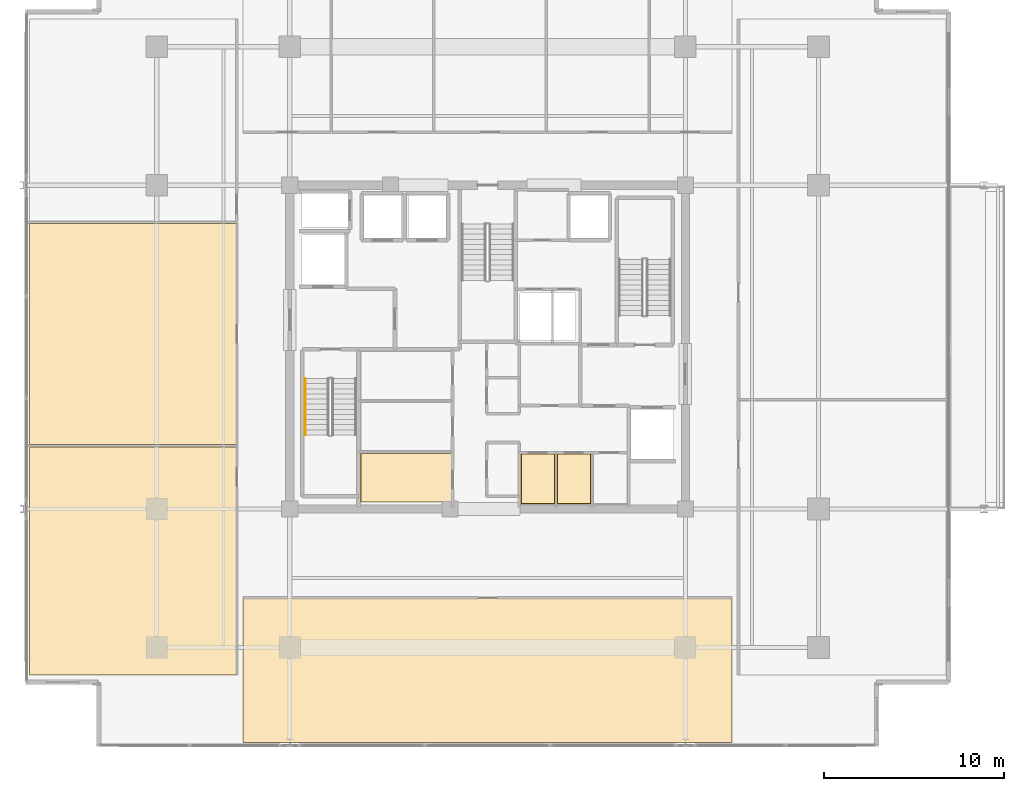
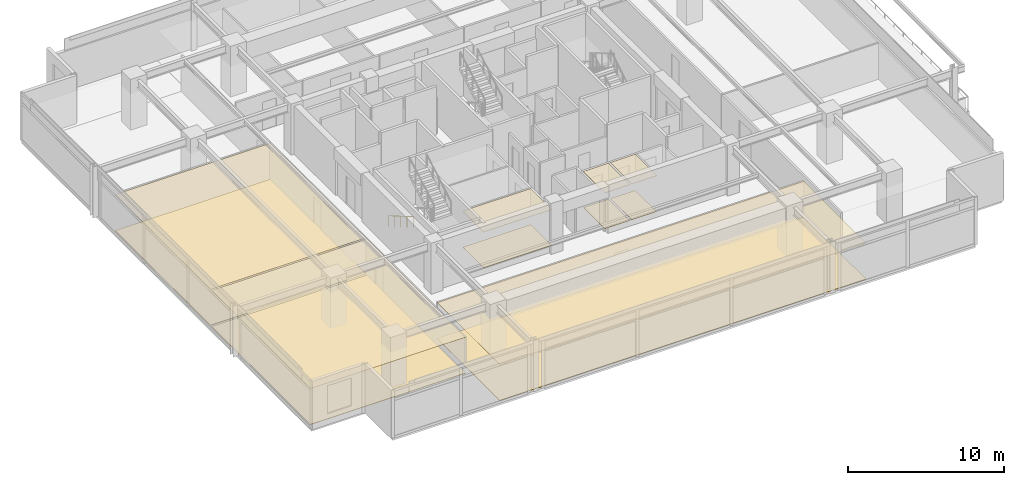
# One storey, part 18 of 21: 12 coverings, 1 railing.
"""IFC4 building model written with IfcOpenShell, lengths in metres."""

import ifcopenshell
import ifcopenshell.guid

model = None  # the IFC model being written
_history = None  # IfcOwnerHistory: only IFC2X3 demands one
_inside = {}  # id of a spatial element -> (the spatial element, [elements in it])
_under = {}  # id of a project, library or spatial element -> (it, [spatial elements below it])
_declared = {}  # id of a project -> (the project, [libraries it declares])
_typed = {}  # id of a type object -> (the type object, [elements of that type])
_made_of = {}  # id of a material, layer set ... -> (it, [elements and type objects made of it])


def new_model(schema):
    """Start an empty IFC model of exactly this schema.

    Asked for "IFC4X3", IfcOpenShell would pick the latest addendum, in which some entities
    have other attributes; the version numbers below select the first issue.
    IFC2X3 requires an IfcOwnerHistory on every rooted entity: one is made here for all.
    """
    global model, _history
    if schema == "IFC4X3":
        model = ifcopenshell.file(schema_version=(4, 3, 0, 0))
    else:
        model = ifcopenshell.file(schema=schema)
    _inside.clear()
    _under.clear()
    _declared.clear()
    _typed.clear()
    _made_of.clear()
    _history = None
    if model.schema == "IFC2X3":
        org = make("IfcOrganization", Name="unknown")
        user = make(
            "IfcPersonAndOrganization",
            ThePerson=make("IfcPerson", FamilyName="unknown"),
            TheOrganization=org,
        )
        app = make(
            "IfcApplication",
            ApplicationDeveloper=org,
            Version="unknown",
            ApplicationFullName="unknown",
            ApplicationIdentifier="unknown",
        )
        _history = make(
            "IfcOwnerHistory",
            OwningUser=user,
            OwningApplication=app,
            ChangeAction="ADDED",
            CreationDate=0,
        )
    return model


def make(cls, **values):
    """One entity of the class cls with the attributes given. An attribute that is None is left unset."""
    return model.create_entity(
        cls, **{name: value for name, value in values.items() if value is not None}
    )


def rooted(cls, **values):
    """An entity with a GlobalId (a new one), such as an element, a storey or a relation."""
    return make(cls, GlobalId=ifcopenshell.guid.new(), OwnerHistory=_history, **values)


def si_unit(unit_type, name, prefix=None):
    """IfcSIUnit, for example si_unit("LENGTHUNIT", "METRE", prefix="MILLI")."""
    return make("IfcSIUnit", UnitType=unit_type, Prefix=prefix, Name=name)


def assignment(units):
    """IfcUnitAssignment: the units of a project."""
    return None if units is None else make("IfcUnitAssignment", Units=units)


def point(xyz):
    """IfcCartesianPoint."""
    return None if xyz is None else make("IfcCartesianPoint", Coordinates=xyz)


def direction(xyz):
    """IfcDirection."""
    return None if xyz is None else make("IfcDirection", DirectionRatios=xyz)


def frame(location, z_axis=None, x_axis=None):
    """IfcAxis2Placement3D, a coordinate frame: its origin and axes. An axis left out is left unset."""
    return make(
        "IfcAxis2Placement3D",
        Location=point(location),
        Axis=direction(z_axis),
        RefDirection=direction(x_axis),
    )


def frame_2d(location, x_axis=None):
    """IfcAxis2Placement2D, a coordinate frame in the plane: its origin and x axis."""
    return make(
        "IfcAxis2Placement2D", Location=point(location), RefDirection=direction(x_axis)
    )


def origin():
    """The frame at (0, 0, 0) with its axes left unset."""
    return frame((0.0, 0.0, 0.0))


def origin_2d():
    """The frame at (0, 0) in the plane with its x axis left unset."""
    return frame_2d((0.0, 0.0))


def place(relative_to, where):
    """IfcLocalPlacement: puts the frame where relative to a parent placement (None: the world)."""
    return make(
        "IfcLocalPlacement", PlacementRelTo=relative_to, RelativePlacement=where
    )


def context(
    kind, dimensions, precision=None, world=None, true_north=None, identifier=None
):
    """IfcGeometricRepresentationContext, for example the 3D "Model" context."""
    return make(
        "IfcGeometricRepresentationContext",
        ContextIdentifier=identifier,
        ContextType=kind,
        CoordinateSpaceDimension=dimensions,
        Precision=precision,
        WorldCoordinateSystem=world,
        TrueNorth=true_north,
    )


def subcontext(parent, identifier, kind, view, scale=None):
    """IfcGeometricRepresentationSubContext, for example "Body" below "Model"."""
    return make(
        "IfcGeometricRepresentationSubContext",
        ContextIdentifier=identifier,
        ContextType=kind,
        ParentContext=parent,
        TargetScale=scale,
        TargetView=view,
    )


def project(units=None, contexts=None):
    """IfcProject with its units and contexts."""
    return rooted(
        "IfcProject",
        Name="project",
        RepresentationContexts=contexts,
        UnitsInContext=assignment(units),
    )


def spatial(cls, under=None, at=None, **own):
    """A site, building, storey or space (cls), placed at a placement, below another one or the project."""
    s = rooted(cls, ObjectPlacement=at, **own)
    if under is not None:
        _under.setdefault(under.id(), (under, []))[1].append(s)
    return s


def polyline(points):
    """IfcPolyline through the points."""
    return make("IfcPolyline", Points=[point(p) for p in points])


def profile(cls, at=None, kind="AREA", **sizes):
    """A parametric profile (cls). Its sizes go by their IFC names, for example OverallWidth=200.0."""
    return make(cls, ProfileType=kind, Position=at, **sizes)


def circle(**sizes):
    """IfcCircleProfileDef."""
    return profile("IfcCircleProfileDef", **sizes)


def outline(outer, holes=None, kind="AREA"):
    """IfcArbitraryClosedProfileDef: a profile drawn as a closed curve; with holes, ...WithVoids."""
    if holes is None:
        return make("IfcArbitraryClosedProfileDef", ProfileType=kind, OuterCurve=outer)
    return make(
        "IfcArbitraryProfileDefWithVoids",
        ProfileType=kind,
        OuterCurve=outer,
        InnerCurves=holes,
    )


def extrude(swept, where, along, depth):
    """IfcExtrudedAreaSolid: the profile swept, set in the frame where, extruded along a direction by depth."""
    return make(
        "IfcExtrudedAreaSolid",
        SweptArea=swept,
        Position=where,
        ExtrudedDirection=direction(along),
        Depth=depth,
    )


def shape(context_of_items, identifier, shape_type, items):
    """IfcShapeRepresentation: the items that make up one representation, for example the "Body"."""
    return make(
        "IfcShapeRepresentation",
        ContextOfItems=context_of_items,
        RepresentationIdentifier=identifier,
        RepresentationType=shape_type,
        Items=items,
    )


def material(Name=None, Category=None):
    """IfcMaterial."""
    return make("IfcMaterial", Name=Name, Category=Category)


def layer(
    of_material, thickness, ventilated=None, Name=None, Category=None, Priority=None
):
    """IfcMaterialLayer: one layer of a wall or slab, of a material (None: an air gap)."""
    return make(
        "IfcMaterialLayer",
        Material=of_material,
        LayerThickness=thickness,
        IsVentilated=ventilated,
        Name=Name,
        Category=Category,
        Priority=Priority,
    )


def layer_set(layers, Name=None):
    """IfcMaterialLayerSet."""
    return make("IfcMaterialLayerSet", MaterialLayers=layers, LayerSetName=Name)


def made_of(thing, what):
    """Note that an element or type object is made of a material, layer set ...; save() writes the relation."""
    if what is not None:
        _made_of.setdefault(what.id(), (what, []))[1].append(thing)
    return thing


def type_object(cls, material=None, **own):
    """A type object (cls), such as IfcWallType, which elements share."""
    return made_of(rooted(cls, **own), material)


def element(
    cls,
    number,
    at=None,
    inside=None,
    cuts=None,
    type_object=None,
    material=None,
    context=None,
    identifier="Body",
    shape_type=None,
    held_by="IfcProductDefinitionShape",
    body=None,
    shapes=None,
    **own,
):
    """One element of the class cls, such as IfcWall. Its Tag is "e" and its number.

    at: its placement. inside: the storey or other place that contains it. cuts: it is an
    opening in that element (IfcRelVoidsElement). A single representation is given by context,
    identifier, shape_type and body (its items); several are given by shapes. held_by: the class
    of the entity that holds the representations. save() writes the other relations.
    """
    e = rooted(cls, Tag="e%d" % number, ObjectPlacement=at, **own)
    if body is not None:
        shapes = [shape(context, identifier, shape_type, body)]
    if shapes is not None:
        e.Representation = make(held_by, Representations=shapes)
    if inside is not None:
        _inside.setdefault(inside.id(), (inside, []))[1].append(e)
    if cuts is not None:
        rooted(
            "IfcRelVoidsElement", RelatingBuildingElement=cuts, RelatedOpeningElement=e
        )
    if type_object is not None:
        _typed.setdefault(type_object.id(), (type_object, []))[1].append(e)
    return made_of(e, material)


def aggregate(whole, parts):
    """IfcRelAggregates: a whole, such as a stair, and the parts it consists of."""
    return rooted("IfcRelAggregates", RelatingObject=whole, RelatedObjects=parts)


def save(model, path):
    """Write the relations noted so far, then the file.

    IfcRelAggregates (storeys below a building ...), IfcRelContainedInSpatialStructure (elements
    in a storey), IfcRelDefinesByType, IfcRelAssociatesMaterial and IfcRelDeclares: one each for
    every whole, place, type object, material and project.
    """
    for whole, parts in _under.values():
        aggregate(whole, parts)
    for where, things in _inside.values():
        rooted(
            "IfcRelContainedInSpatialStructure",
            RelatedElements=things,
            RelatingStructure=where,
        )
    for kind, things in _typed.values():
        rooted("IfcRelDefinesByType", RelatedObjects=things, RelatingType=kind)
    for what, things in _made_of.values():
        rooted("IfcRelAssociatesMaterial", RelatedObjects=things, RelatingMaterial=what)
    for by, libraries in _declared.values():
        rooted("IfcRelDeclares", RelatingContext=by, RelatedDefinitions=libraries)
    model.write(path)


model = new_model("IFC4")

# Units and contexts
model_context = context("Model", 3, precision=1e-05, world=origin(), true_north=direction((0.0, 1.0)))
body_context = subcontext(model_context, "Body", "Model", "MODEL_VIEW")
ifc_project = project(units=[si_unit("LENGTHUNIT", "METRE"), si_unit("AREAUNIT", "SQUARE_METRE"), si_unit("VOLUMEUNIT", "CUBIC_METRE"), si_unit("PLANEANGLEUNIT", "RADIAN"), si_unit("MASSUNIT", "GRAM", prefix="KILO")], contexts=[model_context])

# Site, building, storey
site_placement = place(None, origin())
site = spatial("IfcSite", under=ifc_project, at=site_placement, CompositionType="ELEMENT")
building_placement = place(site_placement, origin())
building = spatial("IfcBuilding", under=site, at=building_placement, Name="Kovane Verandah Tower", CompositionType="ELEMENT")
storey_placement = place(building_placement, frame((0.0, 0.0, 283.199951171875)))
storey = spatial("IfcBuildingStorey", under=building, at=storey_placement, Name="L66", CompositionType="ELEMENT", Elevation=283.199951171875)

# Coverings
ifc_material_1 = material(Name="Perforated Acoustic Mineral-Fibre Ceiling Tile", Category="gypsum")
ifc_layer_1 = layer(ifc_material_1, 0.02490234375)
ifc_layer_set_1 = layer_set([ifc_layer_1], Name="Perforated Acoustic Mineral-Fibre Ceiling Tile")
covering_type_1 = type_object("IfcCoveringType", Name="CV-CEIL-25", PredefinedType="CEILING", material=ifc_layer_set_1)
covering_1_placement = place(storey_placement, frame((0.0, 0.0, 2.824951171875)))
element("IfcCovering", 1, at=covering_1_placement, inside=storey, type_object=covering_type_1, Name="L66 Project Archive Room Acoustic Ceiling", PredefinedType="CEILING", context=body_context, shape_type="SweptSolid", body=[
    extrude(outline(polyline([(32.93505859375, 18.885009765625), (37.9951171875, 18.885009765625), (37.9951171875, 21.594970703125), (32.93505859375, 21.594970703125), (32.93505859375, 18.885009765625)])), origin(), (0.0, 0.0, 1.0), 0.025146484375),
])
covering_2_placement = place(storey_placement, frame((0.0, 0.0, 2.824951171875)))
element("IfcCovering", 2, at=covering_2_placement, inside=storey, type_object=covering_type_1, Name="L66 Mail and Copy Room Acoustic Ceiling", PredefinedType="CEILING", context=body_context, shape_type="SweptSolid", body=[
    extrude(outline(polyline([(41.864990234375, 18.784912109375), (43.735107421875, 18.784912109375), (43.735107421875, 21.56494140625), (41.864990234375, 21.56494140625), (41.864990234375, 18.784912109375)])), origin(), (0.0, 0.0, 1.0), 0.025146484375),
])
covering_3_placement = place(storey_placement, frame((0.0, 0.0, 2.824951171875)))
element("IfcCovering", 3, at=covering_3_placement, inside=storey, type_object=covering_type_1, Name="L66 First Aid Room Acoustic Ceiling", PredefinedType="CEILING", context=body_context, shape_type="SweptSolid", body=[
    extrude(outline(polyline([(43.864990234375, 18.784912109375), (45.735107421875, 18.784912109375), (45.735107421875, 21.56494140625), (43.864990234375, 21.56494140625), (43.864990234375, 18.784912109375)])), origin(), (0.0, 0.0, 1.0), 0.025146484375),
])
covering_4_placement = place(storey_placement, frame((0.0, 0.0, 2.824951171875)))
element("IfcCovering", 4, at=covering_4_placement, inside=storey, type_object=covering_type_1, Name="L66 Collaboration Hub S1 Acoustic Ceiling", PredefinedType="CEILING", context=body_context, shape_type="SweptSolid", body=[
    extrude(outline(polyline([(26.39990234375, 5.509521484375), (53.60009765625, 5.509521484375), (53.60009765625, 13.550048828125), (26.39990234375, 13.550048828125), (26.39990234375, 5.509521484375)])), origin(), (0.0, 0.0, 1.0), 0.025146484375),
])
covering_5_placement = place(storey_placement, frame((0.0, 0.0, 2.824951171875)))
element("IfcCovering", 5, at=covering_5_placement, inside=storey, type_object=covering_type_1, Name="L66 Document and Print Room W1 Acoustic Ceiling", PredefinedType="CEILING", context=body_context, shape_type="SweptSolid", body=[
    extrude(outline(polyline([(14.518798828125, 9.259521484375), (26.050048828125, 9.259521484375), (26.050048828125, 21.9580078125), (14.518798828125, 21.9580078125), (14.518798828125, 9.259521484375)])), origin(), (0.0, 0.0, 1.0), 0.025146484375),
])
covering_6_placement = place(storey_placement, frame((0.0, 0.0, 2.824951171875)))
element("IfcCovering", 6, at=covering_6_placement, inside=storey, type_object=covering_type_1, Name="L66 Open Plan Office W2 Acoustic Ceiling", PredefinedType="CEILING", context=body_context, shape_type="SweptSolid", body=[
    extrude(outline(polyline([(14.518798828125, 22.097900390625), (26.050048828125, 22.097900390625), (26.050048828125, 34.361328125), (14.518798828125, 34.361328125), (14.518798828125, 22.097900390625)])), origin(), (0.0, 0.0, 1.0), 0.025146484375),
])
ifc_material_2 = material(Name="Polished Terrazzo and Raised-Access Carpet Tile Finish", Category="concrete")
ifc_layer_2 = layer(ifc_material_2, 0.030029296875)
ifc_layer_set_2 = layer_set([ifc_layer_2], Name="Polished Terrazzo and Raised-Access Carpet Tile Finish")
covering_type_2 = type_object("IfcCoveringType", Name="CV-FLOR-30", PredefinedType="FLOORING", material=ifc_layer_set_2)
covering_7_placement = place(storey_placement, origin())
element("IfcCovering", 7, at=covering_7_placement, inside=storey, type_object=covering_type_2, Name="L66 Project Archive Room Floor Finish", PredefinedType="FLOORING", context=body_context, shape_type="SweptSolid", body=[
    extrude(outline(polyline([(32.949951171875, 18.89990234375), (37.97998046875, 18.89990234375), (37.97998046875, 21.580078125), (32.949951171875, 21.580078125), (32.949951171875, 18.89990234375)])), origin(), (0.0, 0.0, 1.0), 0.030029296875),
])
covering_8_placement = place(storey_placement, origin())
element("IfcCovering", 8, at=covering_8_placement, inside=storey, type_object=covering_type_2, Name="L66 Mail and Copy Room Floor Finish", PredefinedType="FLOORING", context=body_context, shape_type="SweptSolid", body=[
    extrude(outline(polyline([(41.8798828125, 18.800048828125), (43.719970703125, 18.800048828125), (43.719970703125, 21.550048828125), (41.8798828125, 21.550048828125), (41.8798828125, 18.800048828125)])), origin(), (0.0, 0.0, 1.0), 0.030029296875),
])
covering_9_placement = place(storey_placement, origin())
element("IfcCovering", 9, at=covering_9_placement, inside=storey, type_object=covering_type_2, Name="L66 First Aid Room Floor Finish", PredefinedType="FLOORING", context=body_context, shape_type="SweptSolid", body=[
    extrude(outline(polyline([(43.8798828125, 18.800048828125), (45.719970703125, 18.800048828125), (45.719970703125, 21.550048828125), (43.8798828125, 21.550048828125), (43.8798828125, 18.800048828125)])), origin(), (0.0, 0.0, 1.0), 0.030029296875),
])
covering_10_placement = place(storey_placement, origin())
element("IfcCovering", 10, at=covering_10_placement, inside=storey, type_object=covering_type_2, Name="L66 Collaboration Hub S1 Floor Finish", PredefinedType="FLOORING", context=body_context, shape_type="SweptSolid", body=[
    extrude(outline(polyline([(26.39990234375, 5.509521484375), (53.60009765625, 5.509521484375), (53.60009765625, 13.550048828125), (26.39990234375, 13.550048828125), (26.39990234375, 5.509521484375)])), origin(), (0.0, 0.0, 1.0), 0.030029296875),
])
covering_11_placement = place(storey_placement, origin())
element("IfcCovering", 11, at=covering_11_placement, inside=storey, type_object=covering_type_2, Name="L66 Document and Print Room W1 Floor Finish", PredefinedType="FLOORING", context=body_context, shape_type="SweptSolid", body=[
    extrude(outline(polyline([(14.518798828125, 9.259521484375), (26.050048828125, 9.259521484375), (26.050048828125, 21.9580078125), (14.518798828125, 21.9580078125), (14.518798828125, 9.259521484375)])), origin(), (0.0, 0.0, 1.0), 0.030029296875),
])
covering_12_placement = place(storey_placement, origin())
element("IfcCovering", 12, at=covering_12_placement, inside=storey, type_object=covering_type_2, Name="L66 Open Plan Office W2 Floor Finish", PredefinedType="FLOORING", context=body_context, shape_type="SweptSolid", body=[
    extrude(outline(polyline([(14.518798828125, 22.097900390625), (26.050048828125, 22.097900390625), (26.050048828125, 34.361328125), (14.518798828125, 34.361328125), (14.518798828125, 22.097900390625)])), origin(), (0.0, 0.0, 1.0), 0.030029296875),
])

# Railing
ifc_material_3 = material(Name="Brushed Stainless Steel Handrail", Category="steel")
railing_type = type_object("IfcRailingType", Name="RL-HAND-920", PredefinedType="HANDRAIL", material=ifc_material_3)
railing_placement = place(storey_placement, frame((29.85009765625, 25.75, 0.166748046875)))
element("IfcRailing", 13, at=railing_placement, inside=storey, type_object=railing_type, Name="L66 ST-01 stair handrail 1", PredefinedType="HANDRAIL", context=body_context, shape_type="SweptSolid", body=[
    extrude(circle(Radius=0.02392578125, at=origin_2d()), frame((0.0, 0.0, 0.8759765625), z_axis=(0.0, -0.863239559939, 0.504794475164), x_axis=(1.0, 0.0, 0.0)), (0.0, 0.0, 1.0), 3.631591796875),
    extrude(circle(Radius=0.02099609375, at=origin_2d()), origin(), (0.0, 0.0, 1.0), 0.851806640625),
    extrude(circle(Radius=0.02099609375, at=origin_2d()), frame((0.0, -0.78369140625, 0.458251953125)), (0.0, 0.0, 1.0), 0.851806640625),
    extrude(circle(Radius=0.02099609375, at=origin_2d()), frame((0.0, -1.5673828125, 0.91650390625)), (0.0, 0.0, 1.0), 0.851806640625),
    extrude(circle(Radius=0.02099609375, at=origin_2d()), frame((0.0, -2.351318359375, 1.375)), (0.0, 0.0, 1.0), 0.851806640625),
    extrude(circle(Radius=0.02099609375, at=origin_2d()), frame((0.0, -3.135009765625, 1.833251953125)), (0.0, 0.0, 1.0), 0.851806640625),
])

save(model, "model.ifc")
